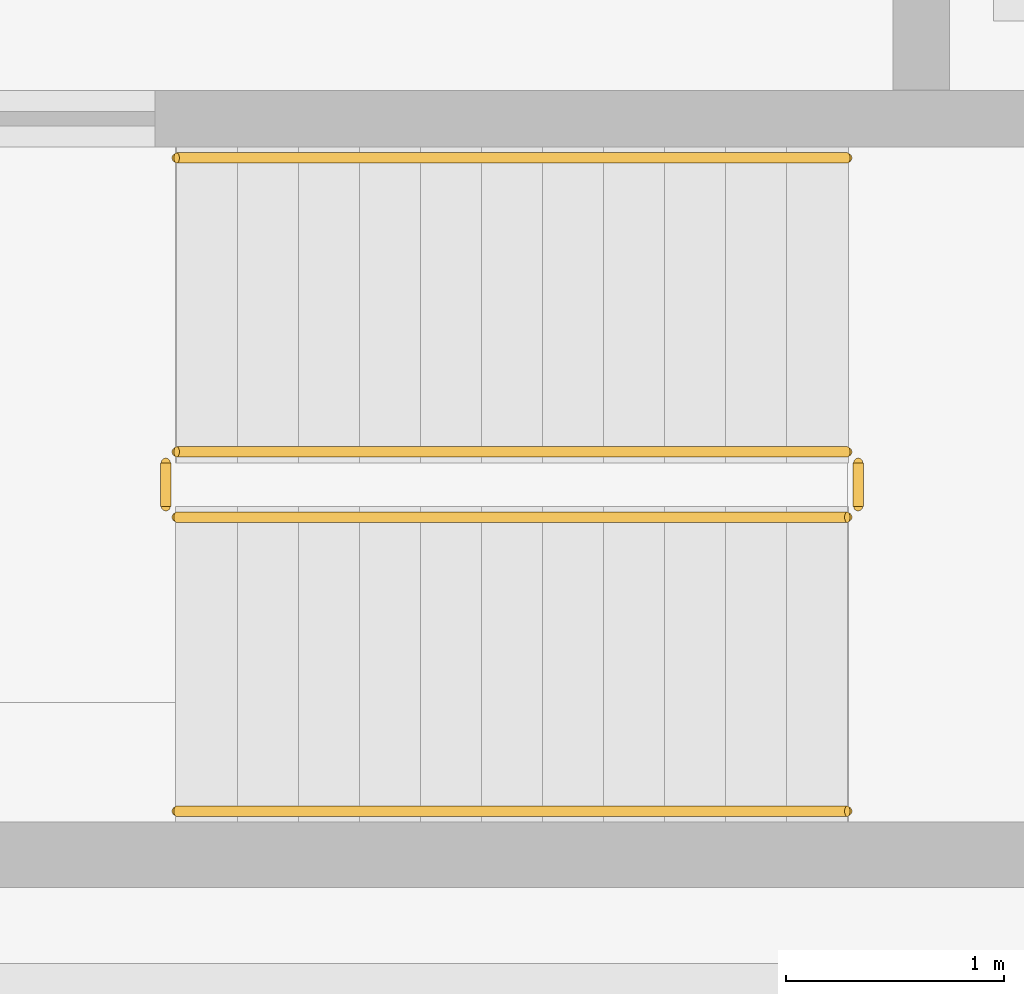
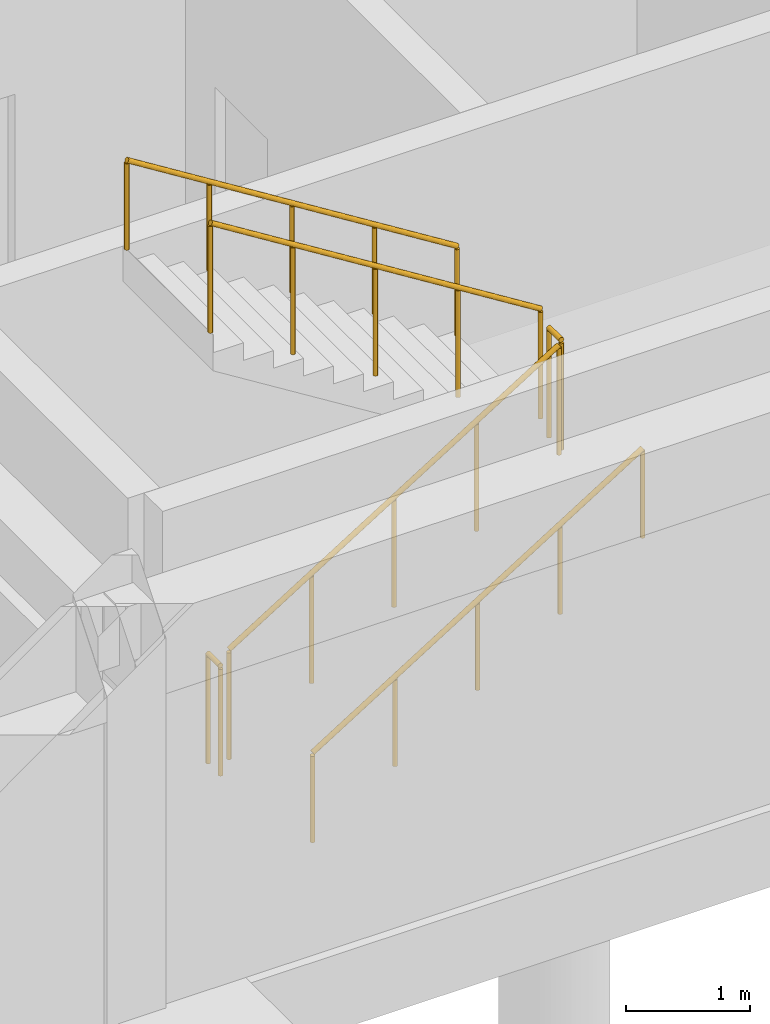
# One storey, part 39 of 41: 6 railings.
"""IFC4 building model written with IfcOpenShell, lengths in metres."""

from ifc_helpers import new_model, si_unit, direction, frame, origin, origin_2d, place, context, subcontext, project, spatial, circle, extrude, material, type_object, element, save


model = new_model("IFC4")

# Units and contexts
model_context = context("Model", 3, precision=1e-05, world=origin(), true_north=direction((0.0, 1.0)))
body_context = subcontext(model_context, "Body", "Model", "MODEL_VIEW")
ifc_project = project(units=[si_unit("LENGTHUNIT", "METRE"), si_unit("AREAUNIT", "SQUARE_METRE"), si_unit("VOLUMEUNIT", "CUBIC_METRE"), si_unit("PLANEANGLEUNIT", "RADIAN"), si_unit("MASSUNIT", "GRAM", prefix="KILO")], contexts=[model_context])

# Site, building, storey
site_placement = place(None, origin())
site = spatial("IfcSite", under=ifc_project, at=site_placement, CompositionType="ELEMENT")
building_placement = place(site_placement, origin())
building = spatial("IfcBuilding", under=site, at=building_placement, Name="Fikremerkos Civic Library", CompositionType="ELEMENT")
storey_placement = place(building_placement, frame((0.0, 0.0, -8.39990234375)))
storey = spatial("IfcBuildingStorey", under=building, at=storey_placement, Name="B02", CompositionType="ELEMENT", Elevation=-8.39990234375)

# Railings
ifc_material_1 = material(Name="Painted Steel S275", Category="steel")
railing_type_1 = type_object("IfcRailingType", Name="Interior balustrade guard RLG-INT 1100", PredefinedType="BALUSTRADE", material=ifc_material_1)
railing_1_placement = place(storey_placement, frame((127.14990234375, 14.300048828125, 0.1748046875)))
element("IfcRailing", 1, at=railing_1_placement, inside=storey, type_object=railing_type_1, Name="B02 ST-K4 stair guard 1", PredefinedType="BALUSTRADE", context=body_context, shape_type="SweptSolid", body=[
    extrude(circle(Radius=0.02392578125, at=origin_2d()), frame((0.0, 0.0, 1.076171875), z_axis=(0.847998304005, 0.0, 0.529998940003), x_axis=(0.0, 1.0, 0.0)), (0.0, 0.0, 1.0), 3.632080078125),
    extrude(circle(Radius=0.02099609375, at=origin_2d()), origin(), (0.0, 0.0, 1.0), 1.052001953125),
    extrude(circle(Radius=0.02099609375, at=origin_2d()), frame((0.77001953125, 0.0, 0.481201171875)), (0.0, 0.0, 1.0), 1.052001953125),
    extrude(circle(Radius=0.02099609375, at=origin_2d()), frame((1.5400390625, 0.0, 0.96240234375)), (0.0, 0.0, 1.0), 1.052001953125),
    extrude(circle(Radius=0.02099609375, at=origin_2d()), frame((2.31005859375, 0.0, 1.44384765625)), (0.0, 0.0, 1.0), 1.052001953125),
    extrude(circle(Radius=0.02099609375, at=origin_2d()), frame((3.080078125, 0.0, 1.925048828125)), (0.0, 0.0, 1.0), 1.052001953125),
])
railing_2_placement = place(storey_placement, frame((130.280029296875, 14.35009765625, 2.099853515625)))
element("IfcRailing", 2, at=railing_2_placement, inside=storey, type_object=railing_type_1, Name="B02 ST-K4 stair guard 2", PredefinedType="BALUSTRADE", context=body_context, shape_type="SweptSolid", body=[
    extrude(circle(Radius=0.02392578125, at=origin_2d()), frame((0.0, 0.0, 1.076171875), z_axis=(0.0, 1.0, 0.0), x_axis=(-1.0, 0.0, 0.0)), (0.0, 0.0, 1.0), 0.199951171875),
    extrude(circle(Radius=0.02099609375, at=origin_2d()), origin(), (0.0, 0.0, 1.0), 1.052001953125),
    extrude(circle(Radius=0.02099609375, at=origin_2d()), frame((0.0, 0.199951171875, 0.0)), (0.0, 0.0, 1.0), 1.052001953125),
])
railing_3_placement = place(storey_placement, frame((130.22998046875, 14.60009765625, 2.27490234375)))
element("IfcRailing", 3, at=railing_3_placement, inside=storey, type_object=railing_type_1, Name="B02 ST-K4 stair guard 3", PredefinedType="BALUSTRADE", context=body_context, shape_type="SweptSolid", body=[
    extrude(circle(Radius=0.02392578125, at=origin_2d()), frame((0.0, 0.0, 1.076171875), z_axis=(-0.847998304005, 0.0, 0.529998940003), x_axis=(0.0, -1.0, 0.0)), (0.0, 0.0, 1.0), 3.632080078125),
    extrude(circle(Radius=0.02099609375, at=origin_2d()), origin(), (0.0, 0.0, 1.0), 1.052001953125),
    extrude(circle(Radius=0.02099609375, at=origin_2d()), frame((-0.77001953125, 0.0, 0.481201171875)), (0.0, 0.0, 1.0), 1.052001953125),
    extrude(circle(Radius=0.02099609375, at=origin_2d()), frame((-1.5400390625, 0.0, 0.96240234375)), (0.0, 0.0, 1.0), 1.052001953125),
    extrude(circle(Radius=0.02099609375, at=origin_2d()), frame((-2.31005859375, 0.0, 1.44384765625)), (0.0, 0.0, 1.0), 1.052001953125),
    extrude(circle(Radius=0.02099609375, at=origin_2d()), frame((-3.080078125, 0.0, 1.925048828125)), (0.0, 0.0, 1.0), 1.052001953125),
])
railing_4_placement = place(storey_placement, frame((127.10009765625, 14.35009765625, 0.0)))
element("IfcRailing", 4, at=railing_4_placement, inside=storey, type_object=railing_type_1, Name="B02 ST-K4 stair guard 4", PredefinedType="BALUSTRADE", context=body_context, shape_type="SweptSolid", body=[
    extrude(circle(Radius=0.02392578125, at=origin_2d()), frame((0.0, 0.0, 1.076171875), z_axis=(0.0, 1.0, 0.0), x_axis=(-1.0, 0.0, 0.0)), (0.0, 0.0, 1.0), 0.199951171875),
    extrude(circle(Radius=0.02099609375, at=origin_2d()), origin(), (0.0, 0.0, 1.0), 1.052001953125),
    extrude(circle(Radius=0.02099609375, at=origin_2d()), frame((0.0, 0.199951171875, 0.0)), (0.0, 0.0, 1.0), 1.052001953125),
])
ifc_material_2 = material(Name="Brushed stainless steel", Category="steel")
railing_type_2 = type_object("IfcRailingType", Name="Wall and flight handrail HRL-01 900", PredefinedType="HANDRAIL", material=ifc_material_2)
railing_5_placement = place(storey_placement, frame((127.14990234375, 12.949951171875, 0.1748046875)))
element("IfcRailing", 5, at=railing_5_placement, inside=storey, type_object=railing_type_2, Name="B02 ST-K4 stair handrail 1", PredefinedType="HANDRAIL", context=body_context, shape_type="SweptSolid", body=[
    extrude(circle(Radius=0.02392578125, at=origin_2d()), frame((0.0, 0.0, 0.8759765625), z_axis=(0.847998304005, 0.0, 0.529998940003), x_axis=(0.0, 1.0, 0.0)), (0.0, 0.0, 1.0), 3.632080078125),
    extrude(circle(Radius=0.02099609375, at=origin_2d()), origin(), (0.0, 0.0, 1.0), 0.851806640625),
    extrude(circle(Radius=0.02099609375, at=origin_2d()), frame((0.77001953125, 0.0, 0.481201171875)), (0.0, 0.0, 1.0), 0.851806640625),
    extrude(circle(Radius=0.02099609375, at=origin_2d()), frame((1.5400390625, 0.0, 0.96240234375)), (0.0, 0.0, 1.0), 0.851806640625),
    extrude(circle(Radius=0.02099609375, at=origin_2d()), frame((2.31005859375, 0.0, 1.44384765625)), (0.0, 0.0, 1.0), 0.851806640625),
    extrude(circle(Radius=0.02099609375, at=origin_2d()), frame((3.080078125, 0.0, 1.925048828125)), (0.0, 0.0, 1.0), 0.851806640625),
])
railing_6_placement = place(storey_placement, frame((130.22998046875, 15.949951171875, 2.27490234375)))
element("IfcRailing", 6, at=railing_6_placement, inside=storey, type_object=railing_type_2, Name="B02 ST-K4 stair handrail 2", PredefinedType="HANDRAIL", context=body_context, shape_type="SweptSolid", body=[
    extrude(circle(Radius=0.02392578125, at=origin_2d()), frame((0.0, 0.0, 0.8759765625), z_axis=(-0.847998304005, 0.0, 0.529998940003), x_axis=(0.0, -1.0, 0.0)), (0.0, 0.0, 1.0), 3.632080078125),
    extrude(circle(Radius=0.02099609375, at=origin_2d()), origin(), (0.0, 0.0, 1.0), 0.851806640625),
    extrude(circle(Radius=0.02099609375, at=origin_2d()), frame((-0.77001953125, 0.0, 0.481201171875)), (0.0, 0.0, 1.0), 0.851806640625),
    extrude(circle(Radius=0.02099609375, at=origin_2d()), frame((-1.5400390625, 0.0, 0.96240234375)), (0.0, 0.0, 1.0), 0.851806640625),
    extrude(circle(Radius=0.02099609375, at=origin_2d()), frame((-2.31005859375, 0.0, 1.44384765625)), (0.0, 0.0, 1.0), 0.851806640625),
    extrude(circle(Radius=0.02099609375, at=origin_2d()), frame((-3.080078125, 0.0, 1.925048828125)), (0.0, 0.0, 1.0), 0.851806640625),
])

save(model, "model.ifc")
